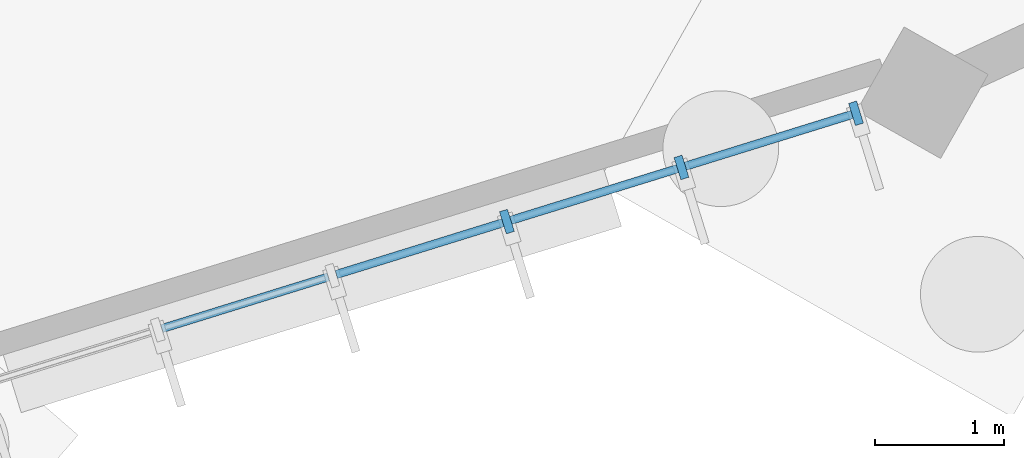
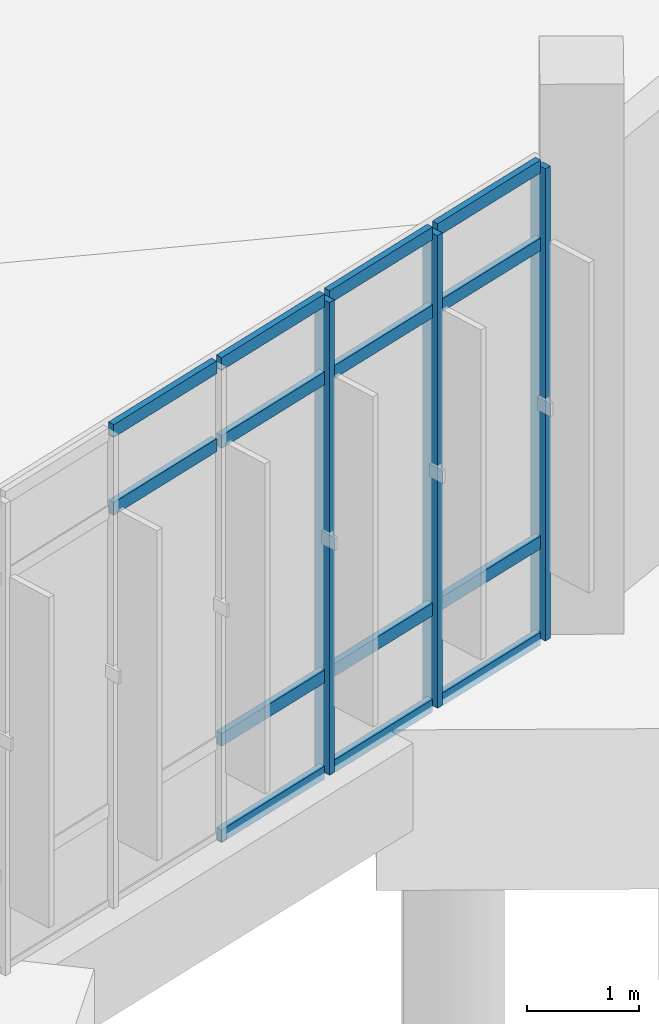
# One storey, part 47 of 140: 17 members, 1 element without a shape of its own.
"""IFC4 building model written with IfcOpenShell, lengths in metres."""

from ifc_helpers import new_model, si_unit, direction, frame, origin, origin_2d, place, context, subcontext, project, spatial, rectangle, extrude, material, layer, layer_set, material_profile, profile_set, type_object, element, aggregate, save


model = new_model("IFC4")

# Units and contexts
model_context = context("Model", 3, precision=1e-05, world=origin(), true_north=direction((0.0, 1.0)))
body_context = subcontext(model_context, "Body", "Model", "MODEL_VIEW")
ifc_project = project(units=[si_unit("LENGTHUNIT", "METRE"), si_unit("AREAUNIT", "SQUARE_METRE"), si_unit("VOLUMEUNIT", "CUBIC_METRE"), si_unit("PLANEANGLEUNIT", "RADIAN"), si_unit("MASSUNIT", "GRAM", prefix="KILO")], contexts=[model_context])

# Site, building, storey
site_placement = place(None, origin())
site = spatial("IfcSite", under=ifc_project, at=site_placement, CompositionType="ELEMENT")
building_placement = place(site_placement, origin())
building = spatial("IfcBuilding", under=site, at=building_placement, Name="Corvandel Quay Wholesale Market", CompositionType="ELEMENT")
storey_placement = place(building_placement, origin())
storey = spatial("IfcBuildingStorey", under=building, at=storey_placement, Name="L00", CompositionType="ELEMENT", Elevation=0.0)

# Curtain wall, members
ifc_material_1 = material(Name="Bronze anodised aluminium and low-E insulated glazing", Category="aluminium")
ifc_layer = layer(ifc_material_1, 0.162109375)
ifc_layer_set = layer_set([ifc_layer], Name="Bronze anodised aluminium and low-E insulated glazing")
curtain_wall_type = type_object("IfcCurtainWallType", Name="Stick Curtain Wall System CW01 H3090", PredefinedType="NOTDEFINED", material=ifc_layer_set)
curtain_wall_placement = place(storey_placement, origin())
curtain_wall = element("IfcCurtainWall", 1, at=curtain_wall_placement, inside=storey, type_object=curtain_wall_type, Name="Curtain Wall CW-0122", PredefinedType="NOTDEFINED")
ifc_material_2 = material(Name="Anodised aluminium 6063-T6", Category="aluminium")
ifc_material_profile_1 = material_profile(ifc_material_2, rectangle(XDim=0.06494140625, YDim=0.179931640625, at=origin_2d()), Name="ALU-MUL-65x180")
ifc_profile_set_1 = profile_set([ifc_material_profile_1], Name="Anodised aluminium 6063-T6")
member_type_1 = type_object("IfcMemberType", Name="Curtain Wall Mullion ML01 65x180", PredefinedType="MULLION", material=ifc_profile_set_1)
member_1_placement = place(storey_placement, frame((146.46875, 94.80224609375, 0.0), z_axis=(0.0, 0.0, 1.0), x_axis=(0.955123398809, 0.296208192067, 0.0)))
member_1 = element("IfcMember", 2, at=member_1_placement, type_object=member_type_1, Name="Mullion CW-0122-M04", PredefinedType="MULLION", context=body_context, shape_type="SweptSolid", body=[
    extrude(rectangle(XDim=0.06494140625, YDim=0.179931640625, at=origin_2d()), origin(), (0.0, 0.0, 1.0), 5.14990234375),
])
member_2_placement = place(storey_placement, frame((147.825439453125, 95.22314453125, 0.0), z_axis=(0.0, 0.0, 1.0), x_axis=(0.955123398809, 0.296208192067, 0.0)))
member_2 = element("IfcMember", 3, at=member_2_placement, type_object=member_type_1, Name="Mullion CW-0122-M05", PredefinedType="MULLION", context=body_context, shape_type="SweptSolid", body=[
    extrude(rectangle(XDim=0.06494140625, YDim=0.179931640625, at=origin_2d()), origin(), (0.0, 0.0, 1.0), 5.14990234375),
])
member_3_placement = place(storey_placement, frame((149.182373046875, 95.64404296875, 0.0), z_axis=(0.0, 0.0, 1.0), x_axis=(0.955123398809, 0.296208192067, 0.0)))
member_3 = element("IfcMember", 4, at=member_3_placement, type_object=member_type_1, Name="Mullion CW-0122-M06", PredefinedType="MULLION", context=body_context, shape_type="SweptSolid", body=[
    extrude(rectangle(XDim=0.06494140625, YDim=0.179931640625, at=origin_2d()), origin(), (0.0, 0.0, 1.0), 5.14990234375),
])
ifc_material_profile_2 = material_profile(ifc_material_2, rectangle(XDim=0.06494140625, YDim=0.139892578125, at=origin_2d()), Name="ALU-TRN-65x140")
ifc_profile_set_2 = profile_set([ifc_material_profile_2], Name="Anodised aluminium 6063-T6")
member_type_2 = type_object("IfcMemberType", Name="Curtain Wall Transom TR01 65x140", PredefinedType="USERDEFINED", material=ifc_profile_set_2)
member_4_placement = place(storey_placement, frame((143.786376953125, 93.97021484375, 4.300048828125), z_axis=(0.955102806569, 0.296274583595, 0.0), x_axis=(-0.296274583595, 0.955102806569, 0.0)))
member_4 = element("IfcMember", 5, at=member_4_placement, type_object=member_type_2, Name="Transom CW-0122-T02-2", ObjectType="TRANSOM", PredefinedType="USERDEFINED", context=body_context, shape_type="SweptSolid", body=[
    extrude(rectangle(XDim=0.06494140625, YDim=0.139892578125, at=origin_2d()), origin(), (0.0, 0.0, 1.0), 1.35546875),
])
member_5_placement = place(storey_placement, frame((143.786376953125, 93.97021484375, 5.14990234375), z_axis=(0.955102806569, 0.296274583595, 0.0), x_axis=(-0.296274583595, 0.955102806569, 0.0)))
member_5 = element("IfcMember", 6, at=member_5_placement, type_object=member_type_2, Name="Transom CW-0122-T02-3", ObjectType="TRANSOM", PredefinedType="USERDEFINED", context=body_context, shape_type="SweptSolid", body=[
    extrude(rectangle(XDim=0.06494140625, YDim=0.139892578125, at=origin_2d()), origin(), (0.0, 0.0, 1.0), 1.35546875),
])
member_6_placement = place(storey_placement, frame((145.14306640625, 94.39111328125, 0.0), z_axis=(0.955102806569, 0.296274583595, 0.0), x_axis=(-0.296274583595, 0.955102806569, 0.0)))
member_6 = element("IfcMember", 7, at=member_6_placement, type_object=member_type_2, Name="Transom CW-0122-T03-0", ObjectType="TRANSOM", PredefinedType="USERDEFINED", context=body_context, shape_type="SweptSolid", body=[
    extrude(rectangle(XDim=0.06494140625, YDim=0.139892578125, at=origin_2d()), origin(), (0.0, 0.0, 1.0), 1.35546875),
])
member_7_placement = place(storey_placement, frame((145.14306640625, 94.39111328125, 1.050048828125), z_axis=(0.955102806569, 0.296274583595, 0.0), x_axis=(-0.296274583595, 0.955102806569, 0.0)))
member_7 = element("IfcMember", 8, at=member_7_placement, type_object=member_type_2, Name="Transom CW-0122-T03-1", ObjectType="TRANSOM", PredefinedType="USERDEFINED", context=body_context, shape_type="SweptSolid", body=[
    extrude(rectangle(XDim=0.06494140625, YDim=0.139892578125, at=origin_2d()), origin(), (0.0, 0.0, 1.0), 1.35546875),
])
member_8_placement = place(storey_placement, frame((145.14306640625, 94.39111328125, 4.300048828125), z_axis=(0.955102806569, 0.296274583595, 0.0), x_axis=(-0.296274583595, 0.955102806569, 0.0)))
member_8 = element("IfcMember", 9, at=member_8_placement, type_object=member_type_2, Name="Transom CW-0122-T03-2", ObjectType="TRANSOM", PredefinedType="USERDEFINED", context=body_context, shape_type="SweptSolid", body=[
    extrude(rectangle(XDim=0.06494140625, YDim=0.139892578125, at=origin_2d()), origin(), (0.0, 0.0, 1.0), 1.35546875),
])
member_9_placement = place(storey_placement, frame((145.14306640625, 94.39111328125, 5.14990234375), z_axis=(0.955102806569, 0.296274583595, 0.0), x_axis=(-0.296274583595, 0.955102806569, 0.0)))
member_9 = element("IfcMember", 10, at=member_9_placement, type_object=member_type_2, Name="Transom CW-0122-T03-3", ObjectType="TRANSOM", PredefinedType="USERDEFINED", context=body_context, shape_type="SweptSolid", body=[
    extrude(rectangle(XDim=0.06494140625, YDim=0.139892578125, at=origin_2d()), origin(), (0.0, 0.0, 1.0), 1.35546875),
])
member_10_placement = place(storey_placement, frame((146.499755859375, 94.81201171875, 0.0), z_axis=(0.95515376027, 0.296110273786, 0.0), x_axis=(-0.296110273786, 0.95515376027, 0.0)))
member_10 = element("IfcMember", 11, at=member_10_placement, type_object=member_type_2, Name="Transom CW-0122-T04-0", ObjectType="TRANSOM", PredefinedType="USERDEFINED", context=body_context, shape_type="SweptSolid", body=[
    extrude(rectangle(XDim=0.06494140625, YDim=0.139892578125, at=origin_2d()), origin(), (0.0, 0.0, 1.0), 1.35546875),
])
member_11_placement = place(storey_placement, frame((146.499755859375, 94.81201171875, 1.050048828125), z_axis=(0.95515376027, 0.296110273786, 0.0), x_axis=(-0.296110273786, 0.95515376027, 0.0)))
member_11 = element("IfcMember", 12, at=member_11_placement, type_object=member_type_2, Name="Transom CW-0122-T04-1", ObjectType="TRANSOM", PredefinedType="USERDEFINED", context=body_context, shape_type="SweptSolid", body=[
    extrude(rectangle(XDim=0.06494140625, YDim=0.139892578125, at=origin_2d()), origin(), (0.0, 0.0, 1.0), 1.35546875),
])
member_12_placement = place(storey_placement, frame((146.499755859375, 94.81201171875, 4.300048828125), z_axis=(0.95515376027, 0.296110273786, 0.0), x_axis=(-0.296110273786, 0.95515376027, 0.0)))
member_12 = element("IfcMember", 13, at=member_12_placement, type_object=member_type_2, Name="Transom CW-0122-T04-2", ObjectType="TRANSOM", PredefinedType="USERDEFINED", context=body_context, shape_type="SweptSolid", body=[
    extrude(rectangle(XDim=0.06494140625, YDim=0.139892578125, at=origin_2d()), origin(), (0.0, 0.0, 1.0), 1.35546875),
])
member_13_placement = place(storey_placement, frame((146.499755859375, 94.81201171875, 5.14990234375), z_axis=(0.95515376027, 0.296110273786, 0.0), x_axis=(-0.296110273786, 0.95515376027, 0.0)))
member_13 = element("IfcMember", 14, at=member_13_placement, type_object=member_type_2, Name="Transom CW-0122-T04-3", ObjectType="TRANSOM", PredefinedType="USERDEFINED", context=body_context, shape_type="SweptSolid", body=[
    extrude(rectangle(XDim=0.06494140625, YDim=0.139892578125, at=origin_2d()), origin(), (0.0, 0.0, 1.0), 1.35546875),
])
member_14_placement = place(storey_placement, frame((147.856689453125, 95.23291015625, 0.0), z_axis=(0.955102806569, 0.296274583595, 0.0), x_axis=(-0.296274583595, 0.955102806569, 0.0)))
member_14 = element("IfcMember", 15, at=member_14_placement, type_object=member_type_2, Name="Transom CW-0122-T05-0", ObjectType="TRANSOM", PredefinedType="USERDEFINED", context=body_context, shape_type="SweptSolid", body=[
    extrude(rectangle(XDim=0.06494140625, YDim=0.139892578125, at=origin_2d()), origin(), (0.0, 0.0, 1.0), 1.35546875),
])
member_15_placement = place(storey_placement, frame((147.856689453125, 95.23291015625, 1.050048828125), z_axis=(0.955102806569, 0.296274583595, 0.0), x_axis=(-0.296274583595, 0.955102806569, 0.0)))
member_15 = element("IfcMember", 16, at=member_15_placement, type_object=member_type_2, Name="Transom CW-0122-T05-1", ObjectType="TRANSOM", PredefinedType="USERDEFINED", context=body_context, shape_type="SweptSolid", body=[
    extrude(rectangle(XDim=0.06494140625, YDim=0.139892578125, at=origin_2d()), origin(), (0.0, 0.0, 1.0), 1.35546875),
])
member_16_placement = place(storey_placement, frame((147.856689453125, 95.23291015625, 4.300048828125), z_axis=(0.955102806569, 0.296274583595, 0.0), x_axis=(-0.296274583595, 0.955102806569, 0.0)))
member_16 = element("IfcMember", 17, at=member_16_placement, type_object=member_type_2, Name="Transom CW-0122-T05-2", ObjectType="TRANSOM", PredefinedType="USERDEFINED", context=body_context, shape_type="SweptSolid", body=[
    extrude(rectangle(XDim=0.06494140625, YDim=0.139892578125, at=origin_2d()), origin(), (0.0, 0.0, 1.0), 1.35546875),
])
member_17_placement = place(storey_placement, frame((147.856689453125, 95.23291015625, 5.14990234375), z_axis=(0.955102806569, 0.296274583595, 0.0), x_axis=(-0.296274583595, 0.955102806569, 0.0)))
member_17 = element("IfcMember", 18, at=member_17_placement, type_object=member_type_2, Name="Transom CW-0122-T05-3", ObjectType="TRANSOM", PredefinedType="USERDEFINED", context=body_context, shape_type="SweptSolid", body=[
    extrude(rectangle(XDim=0.06494140625, YDim=0.139892578125, at=origin_2d()), origin(), (0.0, 0.0, 1.0), 1.35546875),
])
aggregate(curtain_wall, [member_1, member_2, member_3, member_4, member_5, member_6, member_7, member_8, member_9, member_10, member_11, member_12, member_13, member_14, member_15, member_16, member_17])

save(model, "model.ifc")
